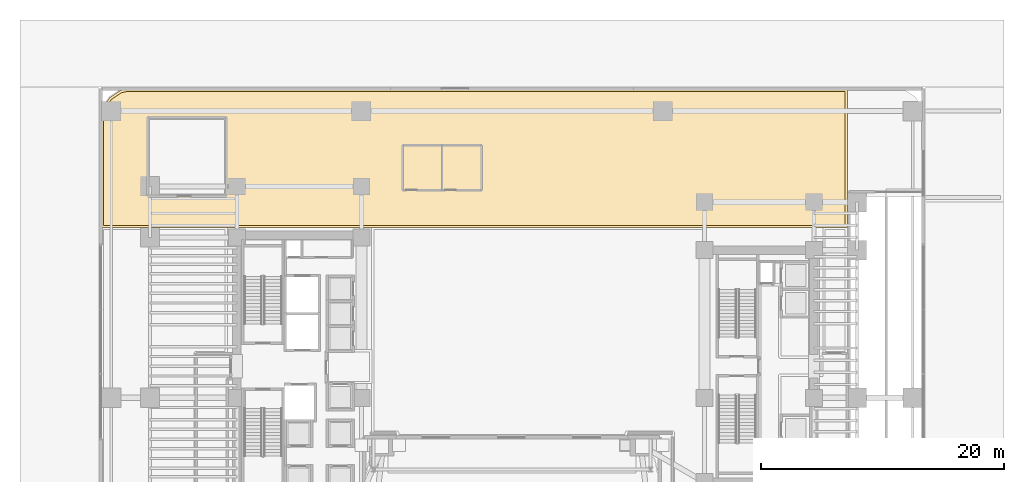
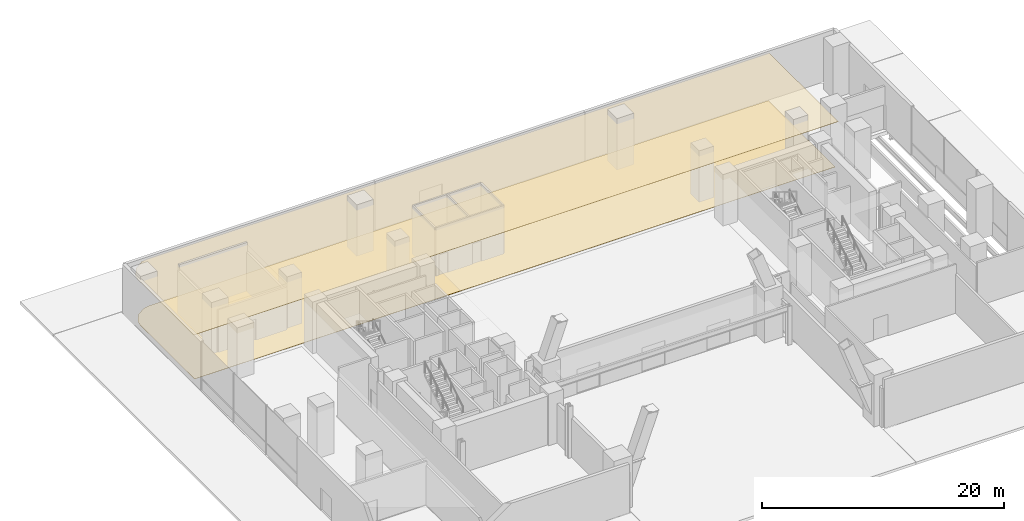
# One storey, part 25 of 27: 2 coverings.
"""IFC4 building model written with IfcOpenShell, lengths in metres."""

from ifc_helpers import new_model, si_unit, direction, frame, origin, place, context, subcontext, project, spatial, polyline, outline, extrude, material, layer, layer_set, type_object, element, save


model = new_model("IFC4")

# Units and contexts
model_context = context("Model", 3, precision=1e-05, world=origin(), true_north=direction((0.0, 1.0)))
body_context = subcontext(model_context, "Body", "Model", "MODEL_VIEW")
ifc_project = project(units=[si_unit("LENGTHUNIT", "METRE"), si_unit("AREAUNIT", "SQUARE_METRE"), si_unit("VOLUMEUNIT", "CUBIC_METRE"), si_unit("PLANEANGLEUNIT", "RADIAN"), si_unit("MASSUNIT", "GRAM", prefix="KILO")], contexts=[model_context])

# Site, building, storey
site_placement = place(None, origin())
site = spatial("IfcSite", under=ifc_project, at=site_placement, CompositionType="ELEMENT")
building_placement = place(site_placement, origin())
building = spatial("IfcBuilding", under=site, at=building_placement, Name="Valdorenza Pilgrim Sanctuary Tower", CompositionType="ELEMENT")
storey_placement = place(building_placement, origin())
storey = spatial("IfcBuildingStorey", under=building, at=storey_placement, Name="L00", CompositionType="ELEMENT", Elevation=0.0)

# Coverings
ifc_material_1 = material(Name="Micro-perforated acoustic mineral ceiling tile", Category="gypsum")
ifc_layer_1 = layer(ifc_material_1, 0.02490234375, Name="Micro-perforated acoustic mineral ceiling tile")
ifc_layer_set_1 = layer_set([ifc_layer_1], Name="Micro-perforated acoustic mineral ceiling tile")
covering_type_1 = type_object("IfcCoveringType", Name="COV-CLG-ACU", PredefinedType="CEILING", material=ifc_layer_set_1)
covering_1_placement = place(storey_placement, frame((0.0, 0.0, 4.6201171875)))
element("IfcCovering", 1, at=covering_1_placement, inside=storey, type_object=covering_type_1, Name="L00 Grand Pilgrim Entrance Lobby North Concourse Acoustic Ceiling", PredefinedType="CEILING", context=body_context, shape_type="SweptSolid", body=[
    extrude(outline(polyline([(27.614990234375, 11.419921875), (27.614990234375, 11.41845703125), (27.61474609375, 11.4169921875), (27.614501953125, 11.41552734375), (27.614013671875, 11.414306640625), (27.61328125, 11.412841796875), (27.612548828125, 11.41162109375), (27.611572265625, 11.410400390625), (27.610595703125, 11.409423828125), (27.609619140625, 11.408447265625), (27.6083984375, 11.407470703125), (27.607177734375, 11.40673828125), (27.605712890625, 11.406005859375), (27.6044921875, 11.405517578125), (27.602783203125, 11.4052734375), (27.6015625, 11.405029296875), (27.60009765625, 11.405029296875), (-33.800048828125, 11.405029296875), (-33.801513671875, 11.405029296875), (-33.802978515625, 11.4052734375), (-33.804443359375, 11.405517578125), (-33.8056640625, 11.406005859375), (-33.80712890625, 11.40673828125), (-33.808349609375, 11.407470703125), (-33.8095703125, 11.408447265625), (-33.810546875, 11.409423828125), (-33.8115234375, 11.410400390625), (-33.8125, 11.41162109375), (-33.813232421875, 11.412841796875), (-33.81396484375, 11.414306640625), (-33.814453125, 11.41552734375), (-33.814697265625, 11.4169921875), (-33.81494140625, 11.41845703125), (-33.81494140625, 11.419921875), (-33.81494140625, 20.6416015625), (-33.81494140625, 20.643310546875), (-33.814697265625, 20.64453125), (-33.697998046875, 21.2314453125), (-33.697509765625, 21.23291015625), (-33.697021484375, 21.234375), (-33.696533203125, 21.235595703125), (-33.69580078125, 21.23681640625), (-33.113037109375, 22.10888671875), (-33.1123046875, 22.110107421875), (-33.111083984375, 22.111083984375), (-33.110107421875, 22.1123046875), (-33.10888671875, 22.113037109375), (-32.23681640625, 22.69580078125), (-32.235595703125, 22.696533203125), (-32.234375, 22.697021484375), (-32.23291015625, 22.697509765625), (-32.2314453125, 22.697998046875), (-31.64453125, 22.814697265625), (-31.643310546875, 22.81494140625), (-31.6416015625, 22.81494140625), (27.60009765625, 22.81494140625), (27.6015625, 22.81494140625), (27.602783203125, 22.814697265625), (27.6044921875, 22.814453125), (27.605712890625, 22.81396484375), (27.607177734375, 22.813232421875), (27.6083984375, 22.8125), (27.609619140625, 22.8115234375), (27.610595703125, 22.810546875), (27.611572265625, 22.8095703125), (27.612548828125, 22.808349609375), (27.61328125, 22.80712890625), (27.614013671875, 22.8056640625), (27.614501953125, 22.804443359375), (27.61474609375, 22.802978515625), (27.614990234375, 22.801513671875), (27.614990234375, 22.800048828125), (27.614990234375, 11.419921875)])), origin(), (0.0, 0.0, 1.0), 0.02490234375),
])
ifc_material_2 = material(Name="Honed travertine stone flooring", Category="masonry")
ifc_layer_2 = layer(ifc_material_2, 0.030029296875, Name="Honed travertine stone flooring")
ifc_layer_set_2 = layer_set([ifc_layer_2], Name="Honed travertine stone flooring")
covering_type_2 = type_object("IfcCoveringType", Name="COV-FLR-TRV", PredefinedType="FLOORING", material=ifc_layer_set_2)
covering_2_placement = place(storey_placement, origin())
element("IfcCovering", 2, at=covering_2_placement, inside=storey, type_object=covering_type_2, Name="L00 Grand Pilgrim Entrance Lobby North Concourse Flooring", PredefinedType="FLOORING", context=body_context, shape_type="SweptSolid", body=[
    extrude(outline(polyline([(27.419921875, 11.60009765625), (-33.6201171875, 11.60009765625), (-33.6201171875, 20.6240234375), (-33.513671875, 21.158203125), (-32.970703125, 21.970703125), (-32.158203125, 22.513671875), (-31.6240234375, 22.6201171875), (27.419921875, 22.6201171875), (27.419921875, 11.60009765625)])), origin(), (0.0, 0.0, 1.0), 0.02490234375),
])

save(model, "model.ifc")
